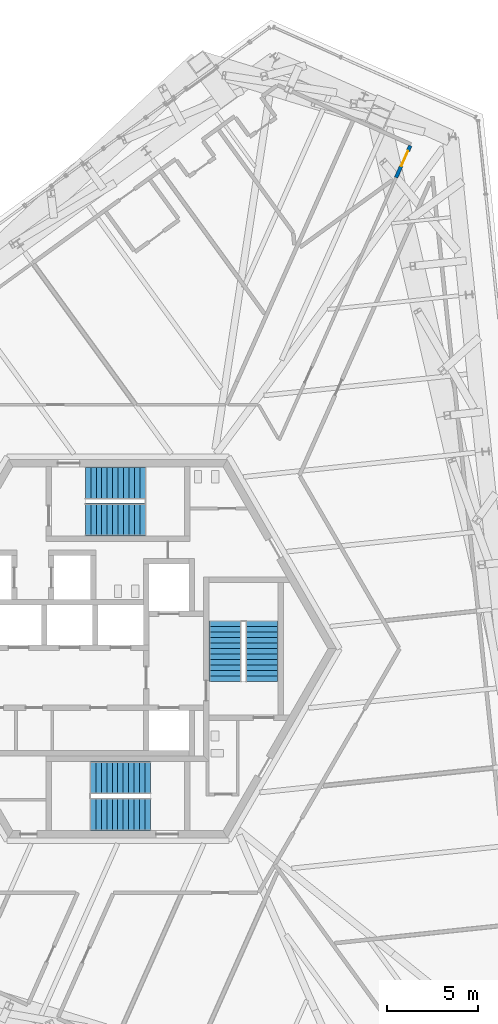
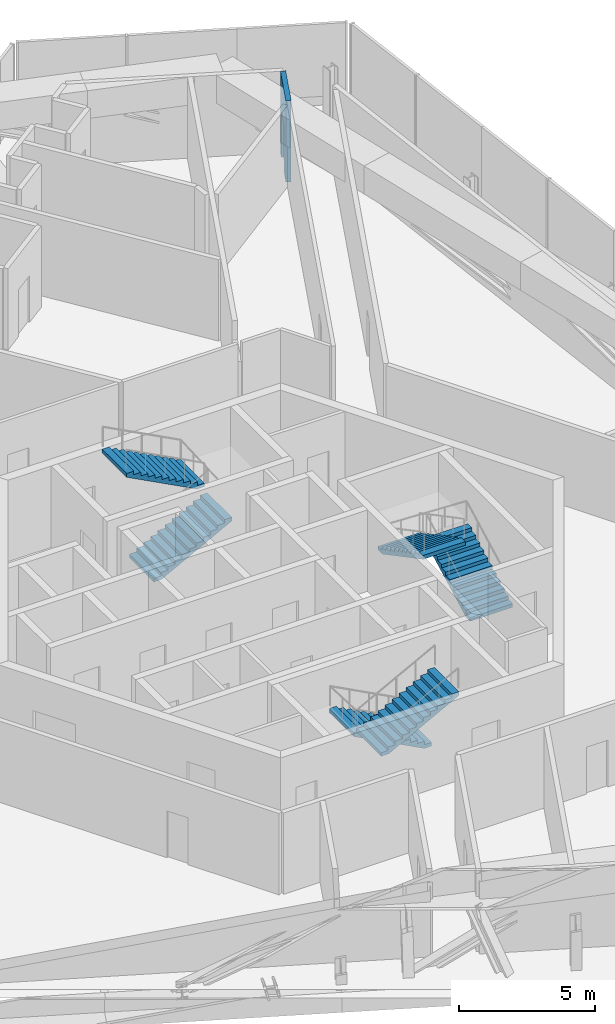
# One storey, part 21 of 30: 6 stair flights, 1 door, 1 wall, 1 opening, 3 elements without a shape of their own.
"""IFC4 building model written with IfcOpenShell, lengths in metres."""

from ifc_helpers import new_model, si_unit, direction, frame, frame_2d, origin, place, context, subcontext, project, spatial, polyline, rectangle, outline, extrude, source, transform, mapped, material, layer, layer_set, type_object, element, fill, aggregate, save


model = new_model("IFC4")

# Units and contexts
model_context = context("Model", 3, precision=1e-05, world=origin(), true_north=direction((0.0, 1.0)))
body_context = subcontext(model_context, "Body", "Model", "MODEL_VIEW")
ifc_project = project(units=[si_unit("LENGTHUNIT", "METRE"), si_unit("AREAUNIT", "SQUARE_METRE"), si_unit("VOLUMEUNIT", "CUBIC_METRE"), si_unit("PLANEANGLEUNIT", "RADIAN"), si_unit("MASSUNIT", "GRAM", prefix="KILO")], contexts=[model_context])

# Site, building, storey
site_placement = place(None, origin())
site = spatial("IfcSite", under=ifc_project, at=site_placement, CompositionType="ELEMENT")
building_placement = place(site_placement, origin())
building = spatial("IfcBuilding", under=site, at=building_placement, Name="Triune Harvest Tower", CompositionType="ELEMENT")
storey_placement = place(building_placement, frame((0.0, 0.0, 94.5)))
storey = spatial("IfcBuildingStorey", under=building, at=storey_placement, Name="L23", CompositionType="ELEMENT", Elevation=94.5)

# Wall, opening, door
ifc_material_1 = material(Name="Gypsum board on steel studs", Category="steel")
ifc_layer = layer(ifc_material_1, 0.199951171875)
ifc_layer_set = layer_set([ifc_layer], Name="Gypsum board on steel studs")
wall_type = type_object("IfcWallType", Name="Fire Wall 200 mm", PredefinedType="PARTITIONING", material=ifc_layer_set)
wall_placement = place(storey_placement, frame((15.27734375, 25.877685546875, 0.0), z_axis=(0.0, 0.0, 1.0), x_axis=(0.406730626412, 0.91354813641, 0.0)))
wall = element("IfcWall", 1, at=wall_placement, inside=storey, type_object=wall_type, Name="Partition L23 058", PredefinedType="PARTITIONING", context=body_context, shape_type="SweptSolid", body=[
    extrude(rectangle(XDim=1.912353515625, YDim=0.199951171875, at=frame_2d((0.9560546875, 0.0))), origin(), (0.0, 0.0, 1.0), 3.639892578125),
])
opening_placement = place(wall_placement, frame((0.692138671875, 0.0, 0.0)))
opening = element("IfcOpeningElement", 2, at=opening_placement, cuts=wall, Name="Opening L23-006", PredefinedType="OPENING", context=body_context, shape_type="SweptSolid", body=[
    extrude(rectangle(XDim=0.89990234375, YDim=2.10009765625, at=frame_2d((0.449951171875, 1.050048828125))), frame((0.0, 0.10986328125, 0.0), z_axis=(0.0, -1.0, 0.0), x_axis=(1.0, 0.0, 0.0)), (0.0, 0.0, 1.0), 0.219970703125),
])
ifc_material_2 = material(Name="Timber and steel door set", Category="steel")
door_type = type_object("IfcDoorType", Name="Single leaf door FD60 right hand 900 x 2100", OperationType="SINGLE_SWING_RIGHT", PredefinedType="DOOR", material=ifc_material_2)
door_placement = place(opening_placement, origin())
door = element("IfcDoor", 3, at=door_placement, inside=storey, type_object=door_type, Name="Door L23-006 Pump Plant Room 23.06", OperationType="SINGLE_SWING_RIGHT", OverallHeight=2.10009765625, OverallWidth=0.89990234375, PredefinedType="DOOR", context=body_context, shape_type="SweptSolid", body=[
    extrude(rectangle(XDim=0.89990234375, YDim=2.10009765625, at=frame_2d((0.449951171875, 1.050048828125))), frame((0.0, 0.02490234375, 0.0), z_axis=(0.0, -1.0, 0.0), x_axis=(1.0, 0.0, 0.0)), (0.0, 0.0, 1.0), 0.050048828125),
])
fill(opening, door)

# Stair, stair flights
ifc_material_3 = material(Name="Concrete 40 MPa", Category="concrete")
stair_type = type_object("IfcStairType", Name="Exit stair 1800 half turn", PredefinedType="HALF_TURN_STAIR", material=ifc_material_3)
stair_1_placement = place(storey_placement, origin())
stair_1 = element("IfcStair", 4, at=stair_1_placement, inside=storey, type_object=stair_type, Name="Exit stair north", PredefinedType="HALF_TURN_STAIR")
ifc_material_4 = material(Name="Concrete 40 MPa", Category="concrete")
stair_flight_type = type_object("IfcStairFlightType", Name="Stair flight 1800", PredefinedType="STRAIGHT", material=ifc_material_4)
shared_shape = source(origin(), body_context, "Body", "SweptSolid", [
    extrude(outline(polyline([(0.0, 0.0), (0.0, 0.158447265625), (0.300048828125, 0.158447265625), (0.300048828125, 0.316650390625), (0.60009765625, 0.316650390625), (0.60009765625, 0.47509765625), (0.89990234375, 0.47509765625), (0.89990234375, 0.63330078125), (1.199951171875, 0.63330078125), (1.199951171875, 0.791748046875), (1.5, 0.791748046875), (1.5, 0.949951171875), (1.800048828125, 0.949951171875), (1.800048828125, 1.1083984375), (2.10009765625, 1.1083984375), (2.10009765625, 1.2666015625), (2.39990234375, 1.2666015625), (2.39990234375, 1.425048828125), (2.699951171875, 1.425048828125), (2.699951171875, 1.583251953125), (3.0, 1.583251953125), (3.0, 1.74169921875), (3.300048828125, 1.74169921875), (3.300048828125, 1.89990234375), (3.300048828125, 1.572021484375), (0.321044921875, 0.0), (0.0, 0.0)])), frame((0.0, 0.89990234375, 0.0), z_axis=(0.0, -1.0, 0.0), x_axis=(1.0, 0.0, 0.0)), (0.0, 0.0, 1.0), 1.800048828125),
])
stair_flight_1_placement = place(storey_placement, frame((-1.7900390625, 7.090087890625, 0.0), z_axis=(0.0, 0.0, 1.0), x_axis=(1.0, 0.0, 0.0)))
stair_flight_1 = element("IfcStairFlight", 5, at=stair_flight_1_placement, type_object=stair_flight_type, Name="ST-1 flight 1", NumberOfRisers=12, NumberOfTreads=11, PredefinedType="STRAIGHT", RiserHeight=0.15833, TreadLength=0.3, context=body_context, shape_type="MappedRepresentation", body=[
    mapped(shared_shape, transform((0.0, 0.0, 0.0), scale=1.0)),
])
stair_flight_2_placement = place(storey_placement, frame((1.510009765625, 9.090087890625, 1.89990234375), z_axis=(0.0, 0.0, 1.0), x_axis=(-1.0, 0.0, 0.0)))
stair_flight_2 = element("IfcStairFlight", 6, at=stair_flight_2_placement, type_object=stair_flight_type, Name="ST-1 flight 2", NumberOfRisers=12, NumberOfTreads=11, PredefinedType="STRAIGHT", RiserHeight=0.15833, TreadLength=0.3, context=body_context, shape_type="MappedRepresentation", body=[
    mapped(shared_shape, transform((0.0, 0.0, 0.0), scale=1.0)),
])
aggregate(stair_1, [stair_flight_1, stair_flight_2])

stair_2_placement = place(storey_placement, origin())
stair_2 = element("IfcStair", 7, at=stair_2_placement, inside=storey, type_object=stair_type, Name="Exit stair south", PredefinedType="HALF_TURN_STAIR")
stair_flight_3_placement = place(storey_placement, frame((1.7900390625, -7.090087890625, 0.0), z_axis=(0.0, 0.0, 1.0), x_axis=(-1.0, 0.0, 0.0)))
stair_flight_3 = element("IfcStairFlight", 8, at=stair_flight_3_placement, type_object=stair_flight_type, Name="ST-2 flight 1", NumberOfRisers=12, NumberOfTreads=11, PredefinedType="STRAIGHT", RiserHeight=0.15833, TreadLength=0.3, context=body_context, shape_type="MappedRepresentation", body=[
    mapped(shared_shape, transform((0.0, 0.0, 0.0), scale=1.0)),
])
stair_flight_4_placement = place(storey_placement, frame((-1.510009765625, -9.090087890625, 1.89990234375), z_axis=(0.0, 0.0, 1.0), x_axis=(1.0, 0.0, 0.0)))
stair_flight_4 = element("IfcStairFlight", 9, at=stair_flight_4_placement, type_object=stair_flight_type, Name="ST-2 flight 2", NumberOfRisers=12, NumberOfTreads=11, PredefinedType="STRAIGHT", RiserHeight=0.15833, TreadLength=0.3, context=body_context, shape_type="MappedRepresentation", body=[
    mapped(shared_shape, transform((0.0, 0.0, 0.0), scale=1.0)),
])
aggregate(stair_2, [stair_flight_3, stair_flight_4])

stair_3_placement = place(storey_placement, origin())
stair_3 = element("IfcStair", 10, at=stair_3_placement, inside=storey, type_object=stair_type, Name="Exit stair east", PredefinedType="HALF_TURN_STAIR")
stair_flight_5_placement = place(storey_placement, frame((7.89990234375, -1.7900390625, 0.0), z_axis=(0.0, 0.0, 1.0), x_axis=(0.0, 1.0, 0.0)))
stair_flight_5 = element("IfcStairFlight", 11, at=stair_flight_5_placement, type_object=stair_flight_type, Name="ST-3 flight 1", NumberOfRisers=12, NumberOfTreads=11, PredefinedType="STRAIGHT", RiserHeight=0.15833, TreadLength=0.3, context=body_context, shape_type="MappedRepresentation", body=[
    mapped(shared_shape, transform((0.0, 0.0, 0.0), scale=1.0)),
])
stair_flight_6_placement = place(storey_placement, frame((5.89990234375, 1.510009765625, 1.89990234375), z_axis=(0.0, 0.0, 1.0), x_axis=(0.0, -1.0, 0.0)))
stair_flight_6 = element("IfcStairFlight", 12, at=stair_flight_6_placement, type_object=stair_flight_type, Name="ST-3 flight 2", NumberOfRisers=12, NumberOfTreads=11, PredefinedType="STRAIGHT", RiserHeight=0.15833, TreadLength=0.3, context=body_context, shape_type="MappedRepresentation", body=[
    mapped(shared_shape, transform((0.0, 0.0, 0.0), scale=1.0)),
])
aggregate(stair_3, [stair_flight_5, stair_flight_6])

save(model, "model.ifc")
